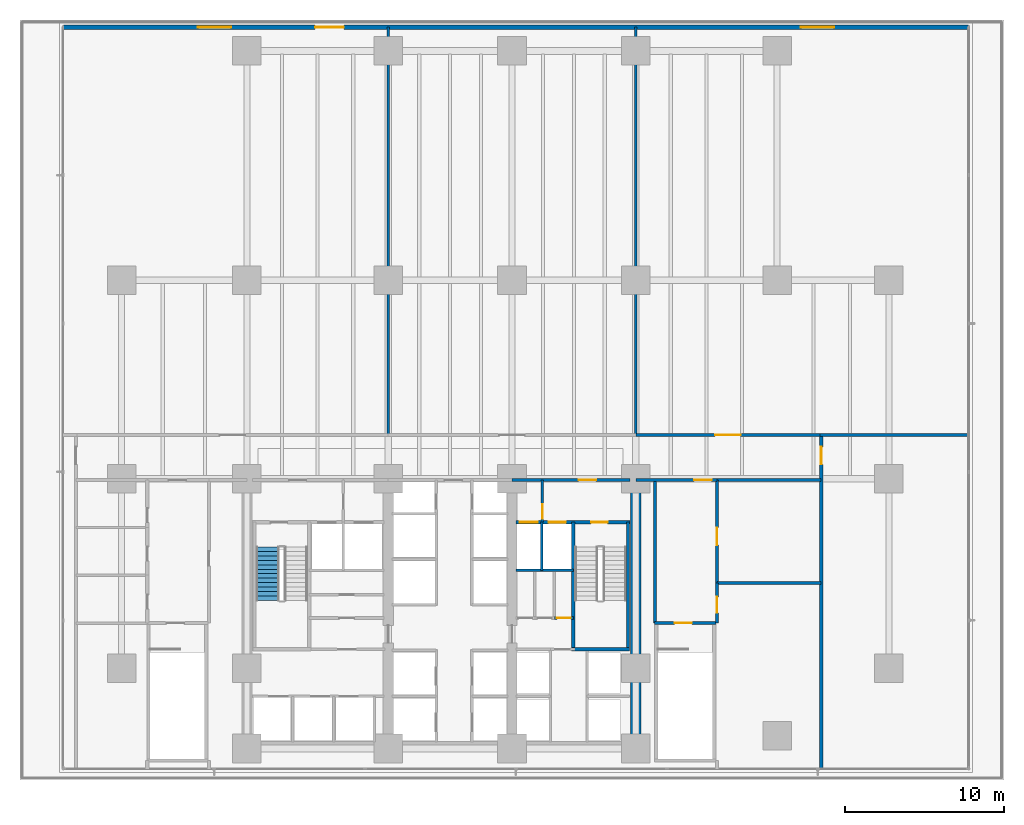
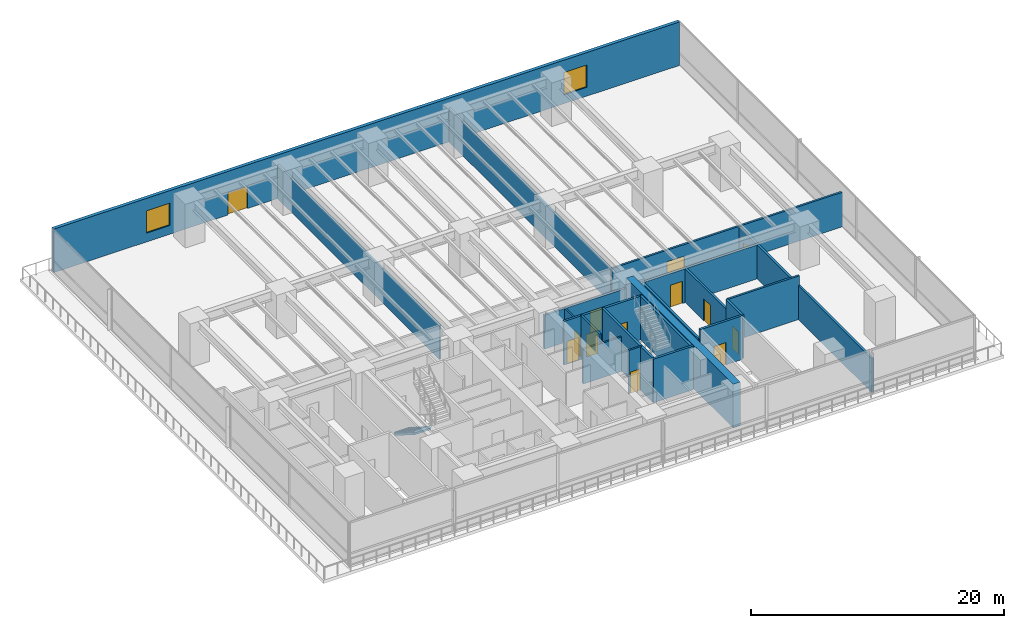
# One storey, part 9 of 21: 23 walls, 13 doors, 2 windows, 1 stair flight, 15 openings, 1 element without a shape of its own.
"""IFC4 building model written with IfcOpenShell, lengths in metres."""

from ifc_helpers import new_model, si_unit, direction, frame, frame_2d, origin, place, context, subcontext, project, spatial, polyline, rectangle, outline, extrude, material, layer, layer_set, type_object, element, fill, aggregate, save


model = new_model("IFC4")

# Units and contexts
model_context = context("Model", 3, precision=1e-05, world=origin(), true_north=direction((0.0, 1.0)))
body_context = subcontext(model_context, "Body", "Model", "MODEL_VIEW")
ifc_project = project(units=[si_unit("LENGTHUNIT", "METRE"), si_unit("AREAUNIT", "SQUARE_METRE"), si_unit("VOLUMEUNIT", "CUBIC_METRE"), si_unit("PLANEANGLEUNIT", "RADIAN"), si_unit("MASSUNIT", "GRAM", prefix="KILO")], contexts=[model_context])

# Site, building, storey
site_placement = place(None, origin())
site = spatial("IfcSite", under=ifc_project, at=site_placement, CompositionType="ELEMENT")
building_placement = place(site_placement, origin())
building = spatial("IfcBuilding", under=site, at=building_placement, Name="Qalmaran Belvedere Hotel", CompositionType="ELEMENT")
storey_placement = place(building_placement, frame((0.0, 0.0, 23.800048828125)))
storey = spatial("IfcBuildingStorey", under=building, at=storey_placement, Name="L05", CompositionType="ELEMENT", Elevation=23.800048828125)

# Wall
ifc_material_1 = material(Name="Concrete C60/75", Category="concrete")
ifc_layer_1 = layer(ifc_material_1, 0.64990234375, Name="Concrete C60/75")
ifc_layer_set_1 = layer_set([ifc_layer_1], Name="Concrete C60/75")
wall_type_1 = type_object("IfcWallType", Name="WL-CORE-650-C60", PredefinedType="SHEAR", material=ifc_layer_set_1)
wall_1_placement = place(storey_placement, frame((44.800048828125, 3.5, 0.0), z_axis=(0.0, 0.0, 1.0), x_axis=(0.0, 1.0, 0.0)))
element("IfcWall", 1, at=wall_1_placement, inside=storey, type_object=wall_type_1, Name="L05 East Core Shear Wall", PredefinedType="SHEAR", context=body_context, shape_type="SweptSolid", body=[
    extrude(rectangle(XDim=16.89990234375, YDim=0.64990234375, at=frame_2d((8.449951171875, 0.0))), origin(), (0.0, 0.0, 1.0), 4.199951171875),
])

# Wall, openings, door, windows
ifc_material_2 = material(Name="Riyadh Limestone Cladding", Category="masonry")
ifc_layer_2 = layer(ifc_material_2, 0.300048828125, Name="Riyadh Limestone Cladding")
ifc_layer_set_2 = layer_set([ifc_layer_2], Name="Riyadh Limestone Cladding")
wall_type_2 = type_object("IfcWallType", Name="WL-EXT-BRNZ-300", PredefinedType="SOLIDWALL", material=ifc_layer_set_2)
wall_2_placement = place(storey_placement, frame((8.75, 48.949951171875, 0.0), z_axis=(0.0, 0.0, 1.0), x_axis=(1.0, 0.0, 0.0)))
wall_2 = element("IfcWall", 2, at=wall_2_placement, inside=storey, type_object=wall_type_2, Name="L05 North Terrace Wall", PredefinedType="SOLIDWALL", context=body_context, shape_type="SweptSolid", body=[
    extrude(rectangle(XDim=57.0, YDim=0.300048828125, at=frame_2d((28.5, 0.0))), origin(), (0.0, 0.0, 1.0), 4.199951171875),
])
opening_1_placement = place(wall_2_placement, frame((15.85009765625, 0.0, 0.0)))
opening_1 = element("IfcOpeningElement", 3, at=opening_1_placement, cuts=wall_2, Name="Opening TR-180", PredefinedType="OPENING", context=body_context, shape_type="SweptSolid", body=[
    extrude(rectangle(XDim=1.800048828125, YDim=2.14990234375, at=frame_2d((0.89990234375, 1.074951171875))), frame((0.0, 0.16015625, 0.0), z_axis=(0.0, -1.0, 0.0), x_axis=(1.0, 0.0, 0.0)), (0.0, 0.0, 1.0), 0.320068359375),
])
opening_2_placement = place(wall_2_placement, frame((8.449951171875, 0.0, 0.85009765625)))
opening_2 = element("IfcOpeningElement", 4, at=opening_2_placement, cuts=wall_2, Name="Opening W-P21", PredefinedType="OPENING", context=body_context, shape_type="SweptSolid", body=[
    extrude(rectangle(XDim=2.10009765625, YDim=2.14990234375, at=frame_2d((1.050048828125, 1.074951171875))), frame((0.0, 0.16015625, 0.0), z_axis=(0.0, -1.0, 0.0), x_axis=(1.0, 0.0, 0.0)), (0.0, 0.0, 1.0), 0.320068359375),
])
opening_3_placement = place(wall_2_placement, frame((46.449951171875, 0.0, 0.85009765625)))
opening_3 = element("IfcOpeningElement", 5, at=opening_3_placement, cuts=wall_2, Name="Opening W-P21", PredefinedType="OPENING", context=body_context, shape_type="SweptSolid", body=[
    extrude(rectangle(XDim=2.10009765625, YDim=2.14990234375, at=frame_2d((1.050048828125, 1.074951171875))), frame((0.0, 0.16015625, 0.0), z_axis=(0.0, -1.0, 0.0), x_axis=(1.0, 0.0, 0.0)), (0.0, 0.0, 1.0), 0.320068359375),
])
ifc_material_3 = material(Name="Anodised Bronze Aluminium", Category="aluminium")
door_type_1 = type_object("IfcDoorType", Name="DR-TERR-1800X2150", OperationType="NOTDEFINED", PredefinedType="DOOR", material=ifc_material_3)
door_1_placement = place(opening_1_placement, origin())
door_1 = element("IfcDoor", 6, at=door_1_placement, inside=storey, type_object=door_type_1, Name="L05 Podium Terrace Door", OperationType="DOUBLE_DOOR_SINGLE_SWING", OverallHeight=2.14990234375, OverallWidth=1.800048828125, PredefinedType="DOOR", context=body_context, shape_type="SweptSolid", body=[
    extrude(rectangle(XDim=1.800048828125, YDim=2.14990234375, at=frame_2d((0.89990234375, 1.074951171875))), frame((0.0, 0.02490234375, 0.0), z_axis=(0.0, -1.0, 0.0), x_axis=(1.0, 0.0, 0.0)), (0.0, 0.0, 1.0), 0.050048828125),
])
fill(opening_1, door_1)
ifc_material_4 = material(Name="Solar-Control Double Glazing", Category="glass")
window_type = type_object("IfcWindowType", Name="WN-POD-2100X2150", PartitioningType="SINGLE_PANEL", PredefinedType="WINDOW", material=ifc_material_4)
window_1_placement = place(opening_2_placement, origin())
window_1 = element("IfcWindow", 7, at=window_1_placement, inside=storey, type_object=window_type, Name="L05 North Chicago Bay Window 1", OverallHeight=2.14990234375, OverallWidth=2.10009765625, PartitioningType="SINGLE_PANEL", PredefinedType="WINDOW", context=body_context, shape_type="SweptSolid", body=[
    extrude(rectangle(XDim=2.10009765625, YDim=2.14990234375, at=frame_2d((1.050048828125, 1.074951171875))), frame((0.0, 0.030029296875, 0.0), z_axis=(0.0, -1.0, 0.0), x_axis=(1.0, 0.0, 0.0)), (0.0, 0.0, 1.0), 0.06005859375),
])
fill(opening_2, window_1)
window_2_placement = place(opening_3_placement, origin())
window_2 = element("IfcWindow", 8, at=window_2_placement, inside=storey, type_object=window_type, Name="L05 North Chicago Bay Window 5", OverallHeight=2.14990234375, OverallWidth=2.10009765625, PartitioningType="SINGLE_PANEL", PredefinedType="WINDOW", context=body_context, shape_type="SweptSolid", body=[
    extrude(rectangle(XDim=2.10009765625, YDim=2.14990234375, at=frame_2d((1.050048828125, 1.074951171875))), frame((0.0, 0.030029296875, 0.0), z_axis=(0.0, -1.0, 0.0), x_axis=(1.0, 0.0, 0.0)), (0.0, 0.0, 1.0), 0.06005859375),
])
fill(opening_3, window_2)

# Wall
ifc_material_5 = material(Name="Gypsum Stud Partition")
ifc_layer_3 = layer(ifc_material_5, 0.14990234375, Name="Gypsum Stud Partition")
ifc_layer_set_3 = layer_set([ifc_layer_3], Name="Gypsum Stud Partition")
wall_type_3 = type_object("IfcWallType", Name="WL-INT-150-EI120", PredefinedType="PARTITIONING", material=ifc_layer_set_3)
wall_3_placement = place(storey_placement, frame((38.8798828125, 14.719970703125, 0.0), z_axis=(0.0, 0.0, 1.0), x_axis=(0.0, 1.0, 0.0)))
element("IfcWall", 9, at=wall_3_placement, inside=storey, type_object=wall_type_3, Name="L05 Partition WL-FF2M-L05", PredefinedType="PARTITIONING", context=body_context, shape_type="SweptSolid", body=[
    extrude(rectangle(XDim=3.0400390625, YDim=0.14990234375, at=frame_2d((1.52001953125, 0.0))), origin(), (0.0, 0.0, 1.0), 4.199951171875),
])

# Wall, opening, door
ifc_layer_4 = layer(ifc_material_5, 0.159912109375, Name="Gypsum Stud Partition")
ifc_layer_set_4 = layer_set([ifc_layer_4], Name="Gypsum Stud Partition")
wall_type_4 = type_object("IfcWallType", Name="WL-INT-160-EI120", PredefinedType="PARTITIONING", material=ifc_layer_set_4)
wall_4_placement = place(storey_placement, frame((38.919921875, 17.760009765625, 0.0), z_axis=(0.0, 0.0, 1.0), x_axis=(0.0, 1.0, 0.0)))
wall_4 = element("IfcWall", 10, at=wall_4_placement, inside=storey, type_object=wall_type_4, Name="L05 Partition WL-FFSV2-L05", PredefinedType="PARTITIONING", context=body_context, shape_type="SweptSolid", body=[
    extrude(rectangle(XDim=2.659912109375, YDim=0.159912109375, at=frame_2d((1.330078125, 0.0))), origin(), (0.0, 0.0, 1.0), 3.263916015625),
])
opening_4_placement = place(wall_4_placement, frame((1.139892578125, 0.0, 0.0), z_axis=(0.0, 0.0, 1.0), x_axis=(-1.0, 0.0, 0.0)))
opening_4 = element("IfcOpeningElement", 11, at=opening_4_placement, cuts=wall_4, Name="Opening FD60S1", PredefinedType="OPENING", context=body_context, shape_type="SweptSolid", body=[
    extrude(rectangle(XDim=0.919921875, YDim=2.080078125, at=frame_2d((0.4599609375, 1.0400390625))), frame((0.0, 0.08984375, 0.0), z_axis=(0.0, -1.0, 0.0), x_axis=(1.0, 0.0, 0.0)), (0.0, 0.0, 1.0), 0.179931640625),
])
ifc_material_6 = material(Name="Engineered Oak Veneer")
door_type_2 = type_object("IfcDoorType", Name="DR-FD60S-920X2080", OperationType="NOTDEFINED", PredefinedType="DOOR", material=ifc_material_6)
door_2_placement = place(opening_4_placement, origin())
door_2 = element("IfcDoor", 12, at=door_2_placement, inside=storey, type_object=door_type_2, Name="L05 Service Lobby East Door", OperationType="SINGLE_SWING_RIGHT", OverallHeight=2.080078125, OverallWidth=0.919921875, PredefinedType="DOOR", context=body_context, shape_type="SweptSolid", body=[
    extrude(rectangle(XDim=0.919921875, YDim=2.080078125, at=frame_2d((0.4599609375, 1.0400390625))), frame((0.0, 0.02490234375, 0.0), z_axis=(0.0, -1.0, 0.0), x_axis=(1.0, 0.0, 0.0)), (0.0, 0.0, 1.0), 0.050048828125),
])
fill(opening_4, door_2)

# Wall
wall_5_placement = place(storey_placement, frame((37.25, 14.719970703125, 0.0), z_axis=(0.0, 0.0, 1.0), x_axis=(1.0, 0.0, 0.0)))
element("IfcWall", 13, at=wall_5_placement, inside=storey, type_object=wall_type_4, Name="L05 Partition WL-FF2S-L05", PredefinedType="PARTITIONING", context=body_context, shape_type="SweptSolid", body=[
    extrude(rectangle(XDim=3.610107421875, YDim=0.159912109375, at=frame_2d((1.80517578125, 0.0))), origin(), (0.0, 0.0, 1.0), 3.329833984375),
])

# Wall, opening, door
ifc_layer_5 = layer(ifc_material_5, 0.159912109375, Name="Gypsum Stud Partition")
ifc_layer_set_5 = layer_set([ifc_layer_5], Name="Gypsum Stud Partition")
wall_type_5 = type_object("IfcWallType", Name="WL-INT-160-EI60", PredefinedType="PARTITIONING", material=ifc_layer_set_5)
wall_6_placement = place(storey_placement, frame((39.668701171875, 11.719970703125, 0.0), z_axis=(0.0, 0.0, 1.0), x_axis=(1.0, 0.0, 0.0)))
wall_6 = element("IfcWall", 14, at=wall_6_placement, inside=storey, type_object=wall_type_5, Name="L05 Partition WL-L05-KEE3", PredefinedType="PARTITIONING", context=body_context, shape_type="SweptSolid", body=[
    extrude(rectangle(XDim=1.19140625, YDim=0.159912109375, at=frame_2d((0.595703125, 0.0))), origin(), (0.0, 0.0, 1.0), 4.199951171875),
])
opening_5_placement = place(wall_6_placement, frame((0.155517578125, 0.0, 0.0)))
opening_5 = element("IfcOpeningElement", 15, at=opening_5_placement, cuts=wall_6, Name="Opening FD60B", PredefinedType="OPENING", context=body_context, shape_type="SweptSolid", body=[
    extrude(rectangle(XDim=0.8798828125, YDim=2.080078125, at=frame_2d((0.43994140625, 1.0400390625))), frame((0.0, 0.08984375, 0.0), z_axis=(0.0, -1.0, 0.0), x_axis=(1.0, 0.0, 0.0)), (0.0, 0.0, 1.0), 0.179931640625),
])
ifc_material_7 = material(Name="Steel S355JR", Category="steel")
door_type_3 = type_object("IfcDoorType", Name="DR-FD60B-880X2080", OperationType="NOTDEFINED", PredefinedType="DOOR", material=ifc_material_7)
door_3_placement = place(opening_5_placement, origin())
door_3 = element("IfcDoor", 16, at=door_3_placement, inside=storey, type_object=door_type_3, Name="L05 Cleaner Equipment Store Door", OperationType="SINGLE_SWING_RIGHT", OverallHeight=2.080078125, OverallWidth=0.8798828125, PredefinedType="DOOR", context=body_context, shape_type="SweptSolid", body=[
    extrude(rectangle(XDim=0.8798828125, YDim=2.080078125, at=frame_2d((0.43994140625, 1.0400390625))), frame((0.0, 0.02490234375, 0.0), z_axis=(0.0, -1.0, 0.0), x_axis=(1.0, 0.0, 0.0)), (0.0, 0.0, 1.0), 0.050048828125),
])
fill(opening_5, door_3)

# Walls
for number, where, z_axis, x_axis, name in (
    (17, (29.199951171875, 23.25, 0.0), (0.0, 0.0, 1.0), (0.0, 1.0, 0.0), "L05 Partition WL-L05-GV1"),
    (18, (44.800048828125, 23.25, 0.0), (0.0, 0.0, 1.0), (0.0, 1.0, 0.0), "L05 Partition WL-L05-GV2"),
):
    element("IfcWall", number, at=place(storey_placement, frame(where, z_axis=z_axis, x_axis=x_axis)), inside=storey, type_object=wall_type_5, Name=name, PredefinedType="PARTITIONING", context=body_context, shape_type="SweptSolid", body=[
        extrude(rectangle(XDim=25.699951171875, YDim=0.159912109375, at=frame_2d((12.85009765625, 0.0))), origin(), (0.0, 0.0, 1.0), 3.263916015625),
    ])
ifc_layer_6 = layer(ifc_material_5, 0.179931640625, Name="Gypsum Stud Partition")
ifc_layer_set_6 = layer_set([ifc_layer_6], Name="Gypsum Stud Partition")
wall_type_6 = type_object("IfcWallType", Name="WL-INT-180-EI120", PredefinedType="PARTITIONING", material=ifc_layer_set_6)
wall_7_placement = place(storey_placement, frame((49.919921875, 13.919921875, 0.0), z_axis=(0.0, 0.0, 1.0), x_axis=(1.0, 0.0, 0.0)))
element("IfcWall", 19, at=wall_7_placement, inside=storey, type_object=wall_type_6, Name="L05 Partition WL-L05-FCCH", PredefinedType="PARTITIONING", context=body_context, shape_type="SweptSolid", body=[
    extrude(rectangle(XDim=6.56005859375, YDim=0.179931640625, at=frame_2d((3.280029296875, 0.0))), origin(), (0.0, 0.0, 1.0), 4.199951171875),
])

# Wall, opening, door
ifc_layer_7 = layer(ifc_material_5, 0.179931640625, Name="Gypsum Stud Partition")
ifc_layer_set_7 = layer_set([ifc_layer_7], Name="Gypsum Stud Partition")
wall_type_7 = type_object("IfcWallType", Name="WL-INT-180-EI60", PredefinedType="PARTITIONING", material=ifc_layer_set_7)
wall_8_placement = place(storey_placement, frame((44.800048828125, 23.25, 0.0), z_axis=(0.0, 0.0, 1.0), x_axis=(1.0, 0.0, 0.0)))
wall_8 = element("IfcWall", 20, at=wall_8_placement, inside=storey, type_object=wall_type_7, Name="L05 Partition WL-L05-GND3", PredefinedType="PARTITIONING", context=body_context, shape_type="SweptSolid", body=[
    extrude(rectangle(XDim=11.599853515625, YDim=0.179931640625, at=frame_2d((5.7998046875, 0.0))), origin(), (0.0, 0.0, 1.0), 3.329833984375),
])
opening_6_placement = place(wall_8_placement, frame((5.0, 0.0, 0.0)))
opening_6 = element("IfcOpeningElement", 21, at=opening_6_placement, cuts=wall_8, Name="Opening FD60D", PredefinedType="OPENING", context=body_context, shape_type="SweptSolid", body=[
    extrude(rectangle(XDim=1.60009765625, YDim=2.219970703125, at=frame_2d((0.800048828125, 1.10986328125))), frame((0.0, 0.10009765625, 0.0), z_axis=(0.0, -1.0, 0.0), x_axis=(1.0, 0.0, 0.0)), (0.0, 0.0, 1.0), 0.199951171875),
])
door_type_4 = type_object("IfcDoorType", Name="DR-FD60D-1600X2220", OperationType="NOTDEFINED", PredefinedType="DOOR", material=ifc_material_6)
door_4_placement = place(opening_6_placement, origin())
door_4 = element("IfcDoor", 22, at=door_4_placement, inside=storey, type_object=door_type_4, Name="L05 Private Banquet Dining Hall Door", OperationType="DOUBLE_DOOR_SINGLE_SWING", OverallHeight=2.219970703125, OverallWidth=1.60009765625, PredefinedType="DOOR", context=body_context, shape_type="SweptSolid", body=[
    extrude(rectangle(XDim=1.60009765625, YDim=2.219970703125, at=frame_2d((0.800048828125, 1.10986328125))), frame((0.0, 0.02490234375, 0.0), z_axis=(0.0, -1.0, 0.0), x_axis=(1.0, 0.0, 0.0)), (0.0, 0.0, 1.0), 0.050048828125),
])
fill(opening_6, door_4)

# Wall
wall_9_placement = place(storey_placement, frame((56.39990234375, 23.25, 0.0), z_axis=(0.0, 0.0, 1.0), x_axis=(1.0, 0.0, 0.0)))
element("IfcWall", 23, at=wall_9_placement, inside=storey, type_object=wall_type_7, Name="L05 Partition WL-L05-GNE3", PredefinedType="PARTITIONING", context=body_context, shape_type="SweptSolid", body=[
    extrude(rectangle(XDim=9.380126953125, YDim=0.179931640625, at=frame_2d((4.68994140625, 0.0))), origin(), (0.0, 0.0, 1.0), 3.329833984375),
])

# Wall, opening, door
ifc_material_8 = material(Name="Concrete C30/37 Blockwork", Category="masonry")
ifc_layer_8 = layer(ifc_material_8, 0.199951171875, Name="Concrete C30/37 Blockwork")
ifc_layer_set_8 = layer_set([ifc_layer_8], Name="Concrete C30/37 Blockwork")
wall_type_8 = type_object("IfcWallType", Name="WL-INT-200-EI120", PredefinedType="PARTITIONING", material=ifc_layer_set_8)
wall_10_placement = place(storey_placement, frame((37.0, 20.419921875, 0.0), z_axis=(0.0, 0.0, 1.0), x_axis=(1.0, 0.0, 0.0)))
wall_10 = element("IfcWall", 24, at=wall_10_placement, inside=storey, type_object=wall_type_8, Name="L05 Partition WL-CN3-L05", PredefinedType="PARTITIONING", context=body_context, shape_type="SweptSolid", body=[
    extrude(rectangle(XDim=7.449951171875, YDim=0.199951171875, at=frame_2d((3.72509765625, 0.0))), origin(), (0.0, 0.0, 1.0), 3.263916015625),
])
opening_7_placement = place(wall_10_placement, frame((4.199951171875, 0.0, 0.0)))
opening_7 = element("IfcOpeningElement", 25, at=opening_7_placement, cuts=wall_10, Name="Opening FD90", PredefinedType="OPENING", context=body_context, shape_type="SweptSolid", body=[
    extrude(rectangle(XDim=1.10009765625, YDim=2.14990234375, at=frame_2d((0.550048828125, 1.074951171875))), frame((0.0, 0.10986328125, 0.0), z_axis=(0.0, -1.0, 0.0), x_axis=(1.0, 0.0, 0.0)), (0.0, 0.0, 1.0), 0.219970703125),
])
door_type_5 = type_object("IfcDoorType", Name="DR-FD90-1100X2150", OperationType="NOTDEFINED", PredefinedType="DOOR", material=ifc_material_7)
door_5_placement = place(opening_7_placement, origin())
door_5 = element("IfcDoor", 26, at=door_5_placement, inside=storey, type_object=door_type_5, Name="L05 FF2 Lobby Corridor Door", OperationType="SINGLE_SWING_LEFT", OverallHeight=2.14990234375, OverallWidth=1.10009765625, PredefinedType="DOOR", context=body_context, shape_type="SweptSolid", body=[
    extrude(rectangle(XDim=1.10009765625, YDim=2.14990234375, at=frame_2d((0.550048828125, 1.074951171875))), frame((0.0, 0.02490234375, 0.0), z_axis=(0.0, -1.0, 0.0), x_axis=(1.0, 0.0, 0.0)), (0.0, 0.0, 1.0), 0.050048828125),
])
fill(opening_7, door_5)

# Wall
wall_11_placement = place(storey_placement, frame((46.0, 11.39990234375, 0.0), z_axis=(0.0, 0.0, 1.0), x_axis=(0.0, 1.0, 0.0)))
element("IfcWall", 27, at=wall_11_placement, inside=storey, type_object=wall_type_8, Name="L05 Partition WL-L05-STPE1", PredefinedType="PARTITIONING", context=body_context, shape_type="SweptSolid", body=[
    extrude(rectangle(XDim=9.02001953125, YDim=0.199951171875, at=frame_2d((4.510009765625, 0.0))), origin(), (0.0, 0.0, 1.0), 3.263916015625),
])

# Wall, opening, door
wall_12_placement = place(storey_placement, frame((49.919921875, 11.39990234375, 0.0), z_axis=(0.0, 0.0, 1.0), x_axis=(0.0, 1.0, 0.0)))
wall_12 = element("IfcWall", 28, at=wall_12_placement, inside=storey, type_object=wall_type_8, Name="L05 Partition WL-L05-STPE2A", PredefinedType="PARTITIONING", context=body_context, shape_type="SweptSolid", body=[
    extrude(rectangle(XDim=2.52001953125, YDim=0.199951171875, at=frame_2d((1.260009765625, 0.0))), origin(), (0.0, 0.0, 1.0), 4.199951171875),
])
opening_8_placement = place(wall_12_placement, frame((1.64990234375, 0.0, 0.0), z_axis=(0.0, 0.0, 1.0), x_axis=(-1.0, 0.0, 0.0)))
opening_8 = element("IfcOpeningElement", 29, at=opening_8_placement, cuts=wall_12, Name="Opening FD90B", PredefinedType="OPENING", context=body_context, shape_type="SweptSolid", body=[
    extrude(rectangle(XDim=1.0, YDim=2.14990234375, at=frame_2d((0.5, 1.074951171875))), frame((0.0, 0.10986328125, 0.0), z_axis=(0.0, -1.0, 0.0), x_axis=(1.0, 0.0, 0.0)), (0.0, 0.0, 1.0), 0.219970703125),
])
door_type_6 = type_object("IfcDoorType", Name="DR-FD90B-1000X2150", OperationType="NOTDEFINED", PredefinedType="DOOR", material=ifc_material_7)
door_6_placement = place(opening_8_placement, origin())
door_6 = element("IfcDoor", 30, at=door_6_placement, inside=storey, type_object=door_type_6, Name="L05 Kitchen Door", OperationType="SINGLE_SWING_LEFT", OverallHeight=2.14990234375, OverallWidth=1.0, PredefinedType="DOOR", context=body_context, shape_type="SweptSolid", body=[
    extrude(rectangle(XDim=1.0, YDim=2.14990234375, at=frame_2d((0.5, 1.074951171875))), frame((0.0, 0.02490234375, 0.0), z_axis=(0.0, -1.0, 0.0), x_axis=(1.0, 0.0, 0.0)), (0.0, 0.0, 1.0), 0.050048828125),
])
fill(opening_8, door_6)

wall_13_placement = place(storey_placement, frame((49.919921875, 13.919921875, 0.0), z_axis=(0.0, 0.0, 1.0), x_axis=(0.0, 1.0, 0.0)))
wall_13 = element("IfcWall", 31, at=wall_13_placement, inside=storey, type_object=wall_type_8, Name="L05 Partition WL-L05-STPE2B", PredefinedType="PARTITIONING", context=body_context, shape_type="SweptSolid", body=[
    extrude(rectangle(XDim=6.5, YDim=0.199951171875, at=frame_2d((3.25, 0.0))), origin(), (0.0, 0.0, 1.0), 3.263916015625),
])
opening_9_placement = place(wall_13_placement, frame((3.5, 0.0, 0.0), z_axis=(0.0, 0.0, 1.0), x_axis=(-1.0, 0.0, 0.0)))
opening_9 = element("IfcOpeningElement", 32, at=opening_9_placement, cuts=wall_13, Name="Opening FD90", PredefinedType="OPENING", context=body_context, shape_type="SweptSolid", body=[
    extrude(rectangle(XDim=1.10009765625, YDim=2.14990234375, at=frame_2d((0.550048828125, 1.074951171875))), frame((0.0, 0.10986328125, 0.0), z_axis=(0.0, -1.0, 0.0), x_axis=(1.0, 0.0, 0.0)), (0.0, 0.0, 1.0), 0.219970703125),
])
door_7_placement = place(opening_9_placement, origin())
door_7 = element("IfcDoor", 33, at=door_7_placement, inside=storey, type_object=door_type_5, Name="L05 Fire Command Door", OperationType="SINGLE_SWING_RIGHT", OverallHeight=2.14990234375, OverallWidth=1.10009765625, PredefinedType="DOOR", context=body_context, shape_type="SweptSolid", body=[
    extrude(rectangle(XDim=1.10009765625, YDim=2.14990234375, at=frame_2d((0.550048828125, 1.074951171875))), frame((0.0, 0.02490234375, 0.0), z_axis=(0.0, -1.0, 0.0), x_axis=(1.0, 0.0, 0.0)), (0.0, 0.0, 1.0), 0.050048828125),
])
fill(opening_9, door_7)

wall_14_placement = place(storey_placement, frame((44.800048828125, 20.419921875, 0.0), z_axis=(0.0, 0.0, 1.0), x_axis=(1.0, 0.0, 0.0)))
wall_14 = element("IfcWall", 34, at=wall_14_placement, inside=storey, type_object=wall_type_8, Name="L05 Partition WL-L05-CSE", PredefinedType="PARTITIONING", context=body_context, shape_type="SweptSolid", body=[
    extrude(rectangle(XDim=5.119873046875, YDim=0.199951171875, at=frame_2d((2.56005859375, 0.0))), origin(), (0.0, 0.0, 1.0), 3.263916015625),
])
opening_10_placement = place(wall_14_placement, frame((4.78076171875, 0.0, 0.0), z_axis=(0.0, 0.0, 1.0), x_axis=(-1.0, 0.0, 0.0)))
opening_10 = element("IfcOpeningElement", 35, at=opening_10_placement, cuts=wall_14, Name="Opening FD90", PredefinedType="OPENING", context=body_context, shape_type="SweptSolid", body=[
    extrude(rectangle(XDim=1.10009765625, YDim=2.14990234375, at=frame_2d((0.550048828125, 1.074951171875))), frame((0.0, 0.10986328125, 0.0), z_axis=(0.0, -1.0, 0.0), x_axis=(1.0, 0.0, 0.0)), (0.0, 0.0, 1.0), 0.219970703125),
])
door_8_placement = place(opening_10_placement, origin())
door_8 = element("IfcDoor", 36, at=door_8_placement, inside=storey, type_object=door_type_5, Name="L05 East Stair Corridor Door", OperationType="SINGLE_SWING_LEFT", OverallHeight=2.14990234375, OverallWidth=1.10009765625, PredefinedType="DOOR", context=body_context, shape_type="SweptSolid", body=[
    extrude(rectangle(XDim=1.10009765625, YDim=2.14990234375, at=frame_2d((0.550048828125, 1.074951171875))), frame((0.0, 0.02490234375, 0.0), z_axis=(0.0, -1.0, 0.0), x_axis=(1.0, 0.0, 0.0)), (0.0, 0.0, 1.0), 0.050048828125),
])
fill(opening_10, door_8)

# Wall
wall_15_placement = place(storey_placement, frame((49.919921875, 20.419921875, 0.0), z_axis=(0.0, 0.0, 1.0), x_axis=(1.0, 0.0, 0.0)))
element("IfcWall", 37, at=wall_15_placement, inside=storey, type_object=wall_type_8, Name="L05 Partition WL-L05-CSEN", PredefinedType="PARTITIONING", context=body_context, shape_type="SweptSolid", body=[
    extrude(rectangle(XDim=6.56005859375, YDim=0.199951171875, at=frame_2d((3.280029296875, 0.0))), origin(), (0.0, 0.0, 1.0), 3.263916015625),
])

# Wall, opening, door
wall_16_placement = place(storey_placement, frame((56.47998046875, 2.219970703125, 0.0), z_axis=(0.0, 0.0, 1.0), x_axis=(0.0, 1.0, 0.0)))
wall_16 = element("IfcWall", 38, at=wall_16_placement, inside=storey, type_object=wall_type_8, Name="L05 Partition WL-L05-FCCE", PredefinedType="PARTITIONING", context=body_context, shape_type="SweptSolid", body=[
    extrude(rectangle(XDim=21.030029296875, YDim=0.199951171875, at=frame_2d((10.51513671875, 0.0))), origin(), (0.0, 0.0, 1.0), 3.263916015625),
])
opening_11_placement = place(wall_16_placement, frame((20.280029296875, 0.0, 0.0), z_axis=(0.0, 0.0, 1.0), x_axis=(-1.0, 0.0, 0.0)))
opening_11 = element("IfcOpeningElement", 39, at=opening_11_placement, cuts=wall_16, Name="Opening FD90", PredefinedType="OPENING", context=body_context, shape_type="SweptSolid", body=[
    extrude(rectangle(XDim=1.10009765625, YDim=2.14990234375, at=frame_2d((0.550048828125, 1.074951171875))), frame((0.0, 0.10986328125, 0.0), z_axis=(0.0, -1.0, 0.0), x_axis=(1.0, 0.0, 0.0)), (0.0, 0.0, 1.0), 0.219970703125),
])
door_9_placement = place(opening_11_placement, origin())
door_9 = element("IfcDoor", 40, at=door_9_placement, inside=storey, type_object=door_type_5, Name="L05 East Wing Door", OperationType="SINGLE_SWING_RIGHT", OverallHeight=2.14990234375, OverallWidth=1.10009765625, PredefinedType="DOOR", context=body_context, shape_type="SweptSolid", body=[
    extrude(rectangle(XDim=1.10009765625, YDim=2.14990234375, at=frame_2d((0.550048828125, 1.074951171875))), frame((0.0, 0.02490234375, 0.0), z_axis=(0.0, -1.0, 0.0), x_axis=(1.0, 0.0, 0.0)), (0.0, 0.0, 1.0), 0.050048828125),
])
fill(opening_11, door_9)

# Walls
ifc_material_9 = material(Name="Concrete C50/60", Category="concrete")
ifc_layer_9 = layer(ifc_material_9, 0.2099609375, Name="Concrete C50/60")
ifc_layer_set_9 = layer_set([ifc_layer_9], Name="Concrete C50/60")
wall_type_9 = type_object("IfcWallType", Name="WL-STAIR-210-C50", PredefinedType="SHEAR", material=ifc_layer_set_9)
for number, where, z_axis, x_axis, name in (
    (41, (40.85498046875, 9.7451171875, 0.0), (0.0, 0.0, 1.0), (0.0, 1.0, 0.0), "L05 Stair ST-2 West Bearing Wall"),
    (42, (44.304931640625, 9.7451171875, 0.0), (0.0, 0.0, 1.0), (0.0, 1.0, 0.0), "L05 Stair ST-2 East Bearing Wall"),
):
    element("IfcWall", number, at=place(storey_placement, frame(where, z_axis=z_axis, x_axis=x_axis)), inside=storey, type_object=wall_type_9, Name=name, PredefinedType="SHEAR", context=body_context, shape_type="SweptSolid", body=[
        extrude(rectangle(XDim=8.009765625, YDim=0.2099609375, at=frame_2d((4.0048828125, 0.0))), origin(), (0.0, 0.0, 1.0), 4.199951171875),
    ])
wall_17_placement = place(storey_placement, frame((40.75, 9.7451171875, 0.0), z_axis=(0.0, 0.0, 1.0), x_axis=(1.0, 0.0, 0.0)))
element("IfcWall", 43, at=wall_17_placement, inside=storey, type_object=wall_type_9, Name="L05 Stair ST-2 South Bearing Wall", PredefinedType="SHEAR", context=body_context, shape_type="SweptSolid", body=[
    extrude(rectangle(XDim=3.659912109375, YDim=0.2099609375, at=frame_2d((1.830078125, 0.0))), origin(), (0.0, 0.0, 1.0), 4.199951171875),
])

# Wall, openings, doors
wall_18_placement = place(storey_placement, frame((37.25, 17.7548828125, 0.0), z_axis=(0.0, 0.0, 1.0), x_axis=(1.0, 0.0, 0.0)))
wall_18 = element("IfcWall", 44, at=wall_18_placement, inside=storey, type_object=wall_type_9, Name="L05 East Lobby and Stair ST-2 North Bearing Wall", PredefinedType="SHEAR", context=body_context, shape_type="SweptSolid", body=[
    extrude(rectangle(XDim=7.199951171875, YDim=0.2099609375, at=frame_2d((3.60009765625, 0.0))), origin(), (0.0, 0.0, 1.0), 4.199951171875),
])
opening_12_placement = place(wall_18_placement, frame((0.25, 0.0, 0.0)))
opening_12 = element("IfcOpeningElement", 45, at=opening_12_placement, cuts=wall_18, Name="Opening LD-SV", PredefinedType="OPENING", context=body_context, shape_type="SweptSolid", body=[
    extrude(rectangle(XDim=1.1201171875, YDim=2.199951171875, at=frame_2d((0.56005859375, 1.10009765625))), frame((0.0, 0.114990234375, 0.0), z_axis=(0.0, -1.0, 0.0), x_axis=(1.0, 0.0, 0.0)), (0.0, 0.0, 1.0), 0.22998046875),
])
opening_13_placement = place(wall_18_placement, frame((2.050048828125, 0.0, 0.0)))
opening_13 = element("IfcOpeningElement", 46, at=opening_13_placement, cuts=wall_18, Name="Opening LD-FF", PredefinedType="OPENING", context=body_context, shape_type="SweptSolid", body=[
    extrude(rectangle(XDim=1.10009765625, YDim=2.179931640625, at=frame_2d((0.550048828125, 1.08984375))), frame((0.0, 0.114990234375, 0.0), z_axis=(0.0, -1.0, 0.0), x_axis=(1.0, 0.0, 0.0)), (0.0, 0.0, 1.0), 0.22998046875),
])
opening_14_placement = place(wall_18_placement, frame((5.780029296875, 0.0, 0.0), z_axis=(0.0, 0.0, 1.0), x_axis=(-1.0, 0.0, 0.0)))
opening_14 = element("IfcOpeningElement", 47, at=opening_14_placement, cuts=wall_18, Name="Opening FD90S2", PredefinedType="OPENING", context=body_context, shape_type="SweptSolid", body=[
    extrude(rectangle(XDim=1.050048828125, YDim=2.14990234375, at=frame_2d((0.52490234375, 1.074951171875))), frame((0.0, 0.114990234375, 0.0), z_axis=(0.0, -1.0, 0.0), x_axis=(1.0, 0.0, 0.0)), (0.0, 0.0, 1.0), 0.22998046875),
])
door_type_7 = type_object("IfcDoorType", Name="DR-FD90S-1050X2150", OperationType="NOTDEFINED", PredefinedType="DOOR", material=ifc_material_7)
door_10_placement = place(opening_14_placement, origin())
door_10 = element("IfcDoor", 48, at=door_10_placement, inside=storey, type_object=door_type_7, Name="L05 Stair ST-2 Door", OperationType="SINGLE_SWING_RIGHT", OverallHeight=2.14990234375, OverallWidth=1.050048828125, PredefinedType="DOOR", context=body_context, shape_type="SweptSolid", body=[
    extrude(rectangle(XDim=1.050048828125, YDim=2.14990234375, at=frame_2d((0.52490234375, 1.074951171875))), frame((0.0, 0.02490234375, 0.0), z_axis=(0.0, -1.0, 0.0), x_axis=(1.0, 0.0, 0.0)), (0.0, 0.0, 1.0), 0.050048828125),
])
fill(opening_14, door_10)
ifc_material_10 = material(Name="Stainless Steel 1.4401", Category="steel")
door_type_8 = type_object("IfcDoorType", Name="DR-LIFT-FF-1100X2180", OperationType="DOUBLE_DOOR_SLIDING", PredefinedType="DOOR", material=ifc_material_10)
door_11_placement = place(opening_13_placement, origin())
door_11 = element("IfcDoor", 49, at=door_11_placement, inside=storey, type_object=door_type_8, Name="L05 FF2 Lift Landing Door", OperationType="DOUBLE_DOOR_SLIDING", OverallHeight=2.179931640625, OverallWidth=1.10009765625, PredefinedType="DOOR", context=body_context, shape_type="SweptSolid", body=[
    extrude(rectangle(XDim=1.10009765625, YDim=2.179931640625, at=frame_2d((0.550048828125, 1.08984375))), frame((0.0, 0.02490234375, 0.0), z_axis=(0.0, -1.0, 0.0), x_axis=(1.0, 0.0, 0.0)), (0.0, 0.0, 1.0), 0.050048828125),
])
fill(opening_13, door_11)
door_type_9 = type_object("IfcDoorType", Name="DR-LIFT-SV-1120X2200", OperationType="DOUBLE_DOOR_SLIDING", PredefinedType="DOOR", material=ifc_material_10)
door_12_placement = place(opening_12_placement, origin())
door_12 = element("IfcDoor", 50, at=door_12_placement, inside=storey, type_object=door_type_9, Name="L05 SV2 Lift Landing Door", OperationType="DOUBLE_DOOR_SLIDING", OverallHeight=2.199951171875, OverallWidth=1.1201171875, PredefinedType="DOOR", context=body_context, shape_type="SweptSolid", body=[
    extrude(rectangle(XDim=1.1201171875, YDim=2.199951171875, at=frame_2d((0.56005859375, 1.10009765625))), frame((0.0, 0.02490234375, 0.0), z_axis=(0.0, -1.0, 0.0), x_axis=(1.0, 0.0, 0.0)), (0.0, 0.0, 1.0), 0.050048828125),
])
fill(opening_12, door_12)

# Wall, opening, door
wall_19_placement = place(storey_placement, frame((45.989990234375, 11.405029296875, 0.0), z_axis=(0.0, 0.0, 1.0), x_axis=(1.0, 0.0, 0.0)))
wall_19 = element("IfcWall", 51, at=wall_19_placement, inside=storey, type_object=wall_type_9, Name="L05 Podium Stair STP2 North Bearing Wall", PredefinedType="SHEAR", context=body_context, shape_type="SweptSolid", body=[
    extrude(rectangle(XDim=3.860107421875, YDim=0.2099609375, at=frame_2d((1.93017578125, 0.0))), origin(), (0.0, 0.0, 1.0), 4.199951171875),
])
opening_15_placement = place(wall_19_placement, frame((2.35009765625, 0.0, 0.0), z_axis=(0.0, 0.0, 1.0), x_axis=(-1.0, 0.0, 0.0)))
opening_15 = element("IfcOpeningElement", 52, at=opening_15_placement, cuts=wall_19, Name="Opening FD90", PredefinedType="OPENING", context=body_context, shape_type="SweptSolid", body=[
    extrude(rectangle(XDim=1.10009765625, YDim=2.14990234375, at=frame_2d((0.550048828125, 1.074951171875))), frame((0.0, 0.114990234375, 0.0), z_axis=(0.0, -1.0, 0.0), x_axis=(1.0, 0.0, 0.0)), (0.0, 0.0, 1.0), 0.22998046875),
])
door_13_placement = place(opening_15_placement, origin())
door_13 = element("IfcDoor", 53, at=door_13_placement, inside=storey, type_object=door_type_5, Name="L05 Stair ST-P2 Door", OperationType="SINGLE_SWING_RIGHT", OverallHeight=2.14990234375, OverallWidth=1.10009765625, PredefinedType="DOOR", context=body_context, shape_type="SweptSolid", body=[
    extrude(rectangle(XDim=1.10009765625, YDim=2.14990234375, at=frame_2d((0.550048828125, 1.074951171875))), frame((0.0, 0.02490234375, 0.0), z_axis=(0.0, -1.0, 0.0), x_axis=(1.0, 0.0, 0.0)), (0.0, 0.0, 1.0), 0.050048828125),
])
fill(opening_15, door_13)

# Stair, stair flight
ifc_material_11 = material(Name="Concrete C40/50", Category="concrete")
stair_type = type_object("IfcStairType", Name="STR-ST-1-1450-R1769", PredefinedType="HALF_TURN_STAIR", material=ifc_material_11)
stair_placement = place(storey_placement, origin())
stair = element("IfcStair", 54, at=stair_placement, inside=storey, type_object=stair_type, Name="L05 West Core Exit Stair ST-1", PredefinedType="HALF_TURN_STAIR")
ifc_layer_10 = layer(ifc_material_11, 0.14990234375, Name="Concrete C40/50")
ifc_layer_set_10 = layer_set([ifc_layer_10], Name="Concrete C40/50")
stair_flight_type = type_object("IfcStairFlightType", Name="STF-ST-1-1450-R1769", PredefinedType="STRAIGHT", material=ifc_layer_set_10)
stair_flight_placement = place(storey_placement, frame((21.60498046875, 16.18994140625, 0.0), z_axis=(0.0, 0.0, 1.0), x_axis=(0.0, -1.0, 0.0)))
stair_flight = element("IfcStairFlight", 55, at=stair_flight_placement, type_object=stair_flight_type, Name="ST-1 flight 1", NumberOfRisers=13, NumberOfTreads=12, PredefinedType="STRAIGHT", RiserHeight=0.176923077, TreadLength=0.28, context=body_context, shape_type="SweptSolid", body=[
    extrude(outline(polyline([(0.0, 0.0), (0.0, 0.177001953125), (0.280029296875, 0.177001953125), (0.280029296875, 0.353759765625), (0.56005859375, 0.353759765625), (0.56005859375, 0.53076171875), (0.840087890625, 0.53076171875), (0.840087890625, 0.707763671875), (1.1201171875, 0.707763671875), (1.1201171875, 0.884521484375), (1.39990234375, 0.884521484375), (1.39990234375, 1.0615234375), (1.679931640625, 1.0615234375), (1.679931640625, 1.238525390625), (1.9599609375, 1.238525390625), (1.9599609375, 1.415283203125), (2.239990234375, 1.415283203125), (2.239990234375, 1.59228515625), (2.52001953125, 1.59228515625), (2.52001953125, 1.769287109375), (2.800048828125, 1.769287109375), (2.800048828125, 1.946044921875), (3.080078125, 1.946044921875), (3.080078125, 2.123046875), (3.360107421875, 2.123046875), (3.360107421875, 2.300048828125), (3.360107421875, 1.94580078125), (0.280517578125, 0.0), (0.0, 0.0)])), frame((0.0, 0.72509765625, 0.0), z_axis=(0.0, -1.0, 0.0), x_axis=(1.0, 0.0, 0.0)), (0.0, 0.0, 1.0), 1.449951171875),
])
aggregate(stair, [stair_flight])

save(model, "model.ifc")
